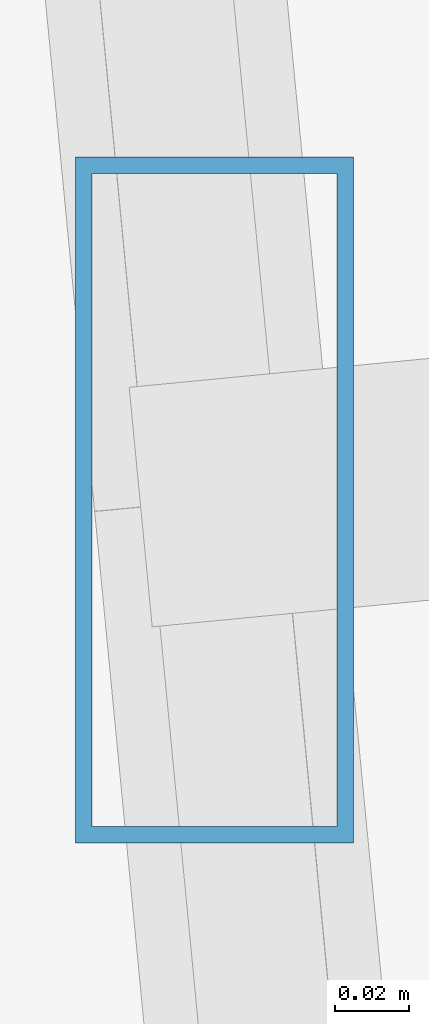
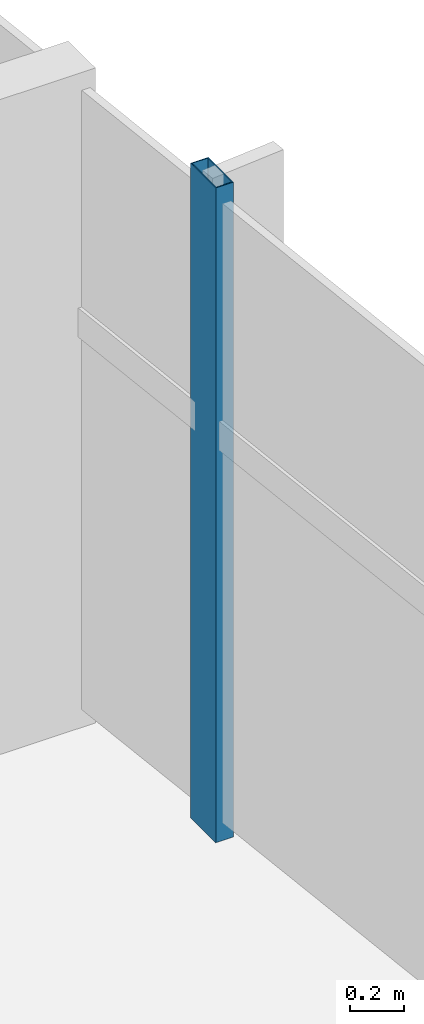
# One storey, part 16 of 27: 1 member, 1 element without a shape of its own.
"""IFC4 building model written with IfcOpenShell, lengths in metres."""

from ifc_helpers import new_model, si_unit, direction, frame, origin, origin_2d, place, context, subcontext, project, spatial, hollow_rectangle, extrude, source, transform, mapped, material, material_profile, profile_set, type_object, type_shapes, element, aggregate, save


model = new_model("IFC4")

# Units and contexts
model_context = context("Model", 3, precision=1e-05, world=origin(), true_north=direction((0.0, 1.0)))
body_context = subcontext(model_context, "Body", "Model", "MODEL_VIEW")
ifc_project = project(units=[si_unit("LENGTHUNIT", "METRE"), si_unit("AREAUNIT", "SQUARE_METRE"), si_unit("VOLUMEUNIT", "CUBIC_METRE"), si_unit("PLANEANGLEUNIT", "RADIAN"), si_unit("MASSUNIT", "GRAM", prefix="KILO")], contexts=[model_context])

# Site, building, storey
site_placement = place(None, origin())
site = spatial("IfcSite", under=ifc_project, at=site_placement, CompositionType="ELEMENT")
building_placement = place(site_placement, origin())
building = spatial("IfcBuilding", under=site, at=building_placement, Name="Astriad Promenade Condominiums", CompositionType="ELEMENT")
storey_placement = place(building_placement, frame((0.0, 0.0, 97.0)))
storey = spatial("IfcBuildingStorey", under=building, at=storey_placement, Name="L27", CompositionType="ELEMENT", Elevation=97.0)

# Curtain wall, member
ifc_material_1 = material(Name="Anodised aluminium Black Dark Glass Unitised", Category="aluminium")
curtain_wall_type = type_object("IfcCurtainWallType", Name="CW-B2-DARK", PredefinedType="USERDEFINED", material=ifc_material_1)
curtain_wall_placement = place(storey_placement, origin())
curtain_wall = element("IfcCurtainWall", 1, at=curtain_wall_placement, inside=storey, type_object=curtain_wall_type, Name="CW-L27-E", ObjectType="UNITISED_CURTAIN_WALL", PredefinedType="USERDEFINED")
ifc_material_2 = material(Name="Anodised aluminium 6063-T6 Black", Category="aluminium")
ifc_material_profile = material_profile(ifc_material_2, hollow_rectangle(XDim=0.074951171875, YDim=0.18505859375, WallThickness=0.00439453125, at=origin_2d()), Name="ALU-MUL-75X185")
ifc_profile_set = profile_set([ifc_material_profile], Name="Anodised aluminium 6063-T6 Black")
member_type = type_object("IfcMemberType", Name="MUL-ALU-MUL-75X185", PredefinedType="MULLION", material=ifc_profile_set)
shared_shape = source(origin(), body_context, "Body", "SweptSolid", [
    extrude(hollow_rectangle(XDim=0.074951171875, YDim=0.18505859375, WallThickness=0.00439453125, at=origin_2d()), origin(), (0.0, 0.0, 1.0), 2.93994140625),
])
type_shapes(member_type, [shared_shape])
member_placement = place(storey_placement, frame((68.972900390625, 16.6552734375, 0.0), z_axis=(0.0, 0.0, 1.0), x_axis=(1.0, 0.0, 0.0)))
member = element("IfcMember", 2, at=member_placement, type_object=member_type, Name="CW-L27-E-MUL-02", PredefinedType="MULLION", context=body_context, shape_type="MappedRepresentation", body=[
    mapped(shared_shape, transform((0.0, 0.0, 0.0), scale=1.0)),
])
aggregate(curtain_wall, [member])

save(model, "model.ifc")
